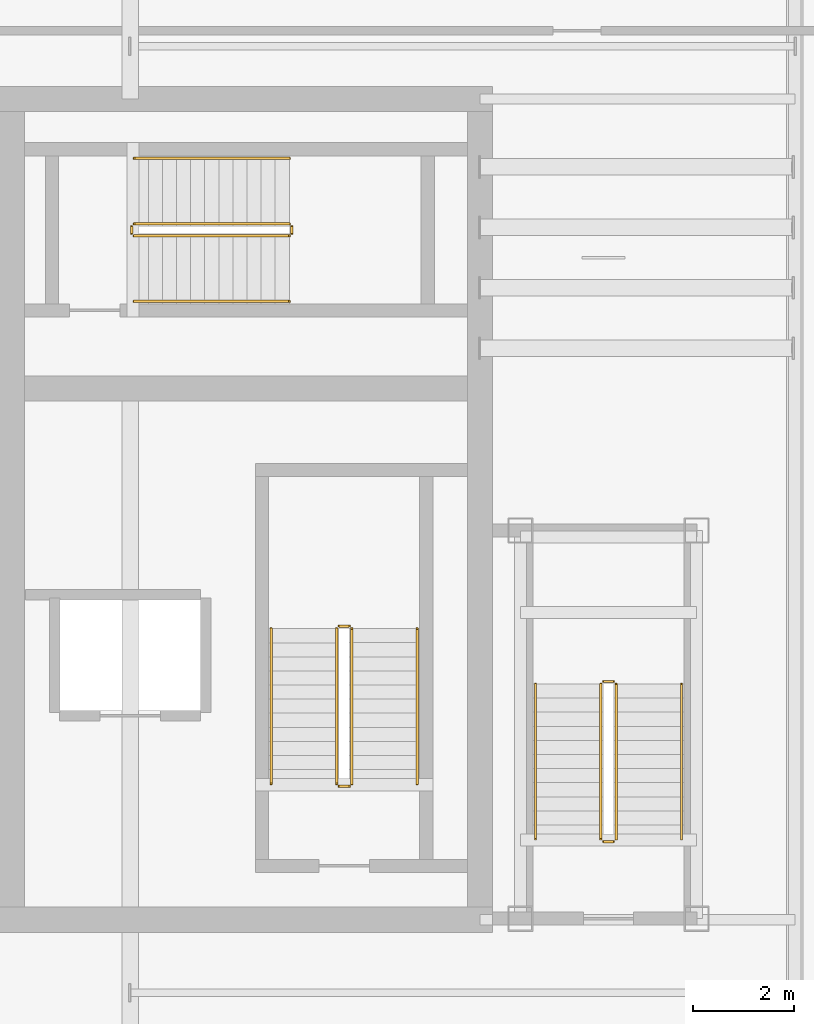
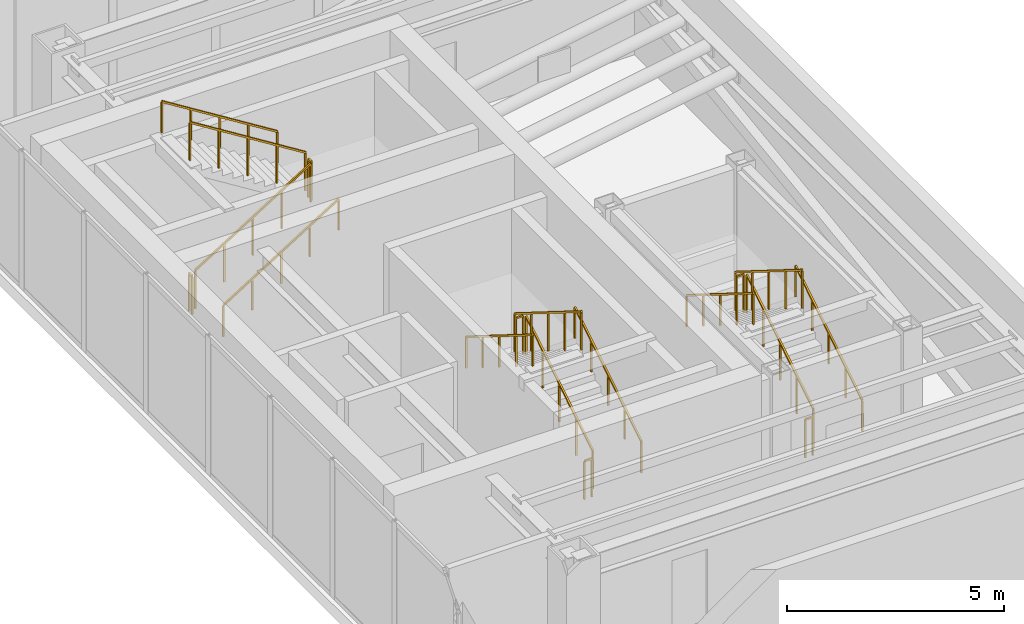
# One storey, part 9 of 9: 18 railings.
"""IFC4 building model written with IfcOpenShell, lengths in metres."""

from ifc_helpers import new_model, si_unit, direction, frame, origin, origin_2d, place, context, subcontext, project, spatial, rectangle, extrude, material, type_object, element, save


model = new_model("IFC4")

# Units and contexts
model_context = context("Model", 3, precision=1e-05, world=origin(), true_north=direction((0.0, 1.0)))
body_context = subcontext(model_context, "Body", "Model", "MODEL_VIEW")
ifc_project = project(units=[si_unit("LENGTHUNIT", "METRE"), si_unit("AREAUNIT", "SQUARE_METRE"), si_unit("VOLUMEUNIT", "CUBIC_METRE"), si_unit("PLANEANGLEUNIT", "RADIAN"), si_unit("MASSUNIT", "GRAM", prefix="KILO")], contexts=[model_context])

# Site, building, storey
site_placement = place(None, origin())
site = spatial("IfcSite", under=ifc_project, at=site_placement, CompositionType="ELEMENT")
building_placement = place(site_placement, origin())
building = spatial("IfcBuilding", under=site, at=building_placement, Name="Kiyonajd Concourse Tower", CompositionType="ELEMENT")
storey_placement = place(building_placement, frame((0.0, 0.0, 372.89990234375)))
storey = spatial("IfcBuildingStorey", under=building, at=storey_placement, Name="L93", CompositionType="ELEMENT", Elevation=372.89990234375)

# Railings
ifc_material_1 = material(Name="Steel ASTM A500 Grade C", Category="steel")
railing_type_1 = type_object("IfcRailingType", Name="RL-GRD-STR", PredefinedType="GUARDRAIL", material=ifc_material_1)
railing_1_placement = place(storey_placement, frame((60.800048828125, 30.550048828125, 0.175048828125)))
element("IfcRailing", 1, at=railing_1_placement, inside=storey, type_object=railing_type_1, Name="L93 ST2 stair guard 1", PredefinedType="GUARDRAIL", context=body_context, shape_type="SweptSolid", body=[
    extrude(rectangle(XDim=0.048095703125, YDim=0.048095703125, at=origin_2d()), frame((0.0, 0.0, 1.076171875), z_axis=(0.0, 0.847979421464, 0.530029150871), x_axis=(-1.0, 0.0, 0.0)), (0.0, 0.0, 1.0), 3.632080078125),
    extrude(rectangle(XDim=0.0419921875, YDim=0.0419921875, at=origin_2d()), origin(), (0.0, 0.0, 1.0), 1.052001953125),
    extrude(rectangle(XDim=0.0419921875, YDim=0.0419921875, at=origin_2d()), frame((0.0, 0.77001953125, 0.481201171875)), (0.0, 0.0, 1.0), 1.052001953125),
    extrude(rectangle(XDim=0.0419921875, YDim=0.0419921875, at=origin_2d()), frame((0.0, 1.5400390625, 0.96240234375)), (0.0, 0.0, 1.0), 1.052001953125),
    extrude(rectangle(XDim=0.0419921875, YDim=0.0419921875, at=origin_2d()), frame((0.0, 2.309814453125, 1.44384765625)), (0.0, 0.0, 1.0), 1.052001953125),
    extrude(rectangle(XDim=0.0419921875, YDim=0.0419921875, at=origin_2d()), frame((0.0, 3.079833984375, 1.925048828125)), (0.0, 0.0, 1.0), 1.052001953125),
])
railing_2_placement = place(storey_placement, frame((60.75, 33.679931640625, 2.10009765625)))
element("IfcRailing", 2, at=railing_2_placement, inside=storey, type_object=railing_type_1, Name="L93 ST2 stair guard 2", PredefinedType="GUARDRAIL", context=body_context, shape_type="SweptSolid", body=[
    extrude(rectangle(XDim=0.048095703125, YDim=0.048095703125, at=origin_2d()), frame((0.0, 0.0, 1.076171875), z_axis=(-1.0, 0.0, 0.0), x_axis=(0.0, -1.0, 0.0)), (0.0, 0.0, 1.0), 0.199951171875),
    extrude(rectangle(XDim=0.0419921875, YDim=0.0419921875, at=origin_2d()), origin(), (0.0, 0.0, 1.0), 1.052001953125),
    extrude(rectangle(XDim=0.0419921875, YDim=0.0419921875, at=origin_2d()), frame((-0.199951171875, 0.0, 0.0)), (0.0, 0.0, 1.0), 1.052001953125),
])
railing_3_placement = place(storey_placement, frame((60.5, 33.6298828125, 2.275146484375)))
element("IfcRailing", 3, at=railing_3_placement, inside=storey, type_object=railing_type_1, Name="L93 ST2 stair guard 3", PredefinedType="GUARDRAIL", context=body_context, shape_type="SweptSolid", body=[
    extrude(rectangle(XDim=0.048095703125, YDim=0.048095703125, at=origin_2d()), frame((0.0, 0.0, 1.076171875), z_axis=(0.0, -0.847979421464, 0.530029150871), x_axis=(1.0, 0.0, 0.0)), (0.0, 0.0, 1.0), 3.632080078125),
    extrude(rectangle(XDim=0.0419921875, YDim=0.0419921875, at=origin_2d()), origin(), (0.0, 0.0, 1.0), 1.052001953125),
    extrude(rectangle(XDim=0.0419921875, YDim=0.0419921875, at=origin_2d()), frame((0.0, -0.77001953125, 0.481201171875)), (0.0, 0.0, 1.0), 1.052001953125),
    extrude(rectangle(XDim=0.0419921875, YDim=0.0419921875, at=origin_2d()), frame((0.0, -1.5400390625, 0.96240234375)), (0.0, 0.0, 1.0), 1.052001953125),
    extrude(rectangle(XDim=0.0419921875, YDim=0.0419921875, at=origin_2d()), frame((0.0, -2.309814453125, 1.44384765625)), (0.0, 0.0, 1.0), 1.052001953125),
    extrude(rectangle(XDim=0.0419921875, YDim=0.0419921875, at=origin_2d()), frame((0.0, -3.079833984375, 1.925048828125)), (0.0, 0.0, 1.0), 1.052001953125),
])
railing_4_placement = place(storey_placement, frame((60.75, 30.5, 0.0)))
element("IfcRailing", 4, at=railing_4_placement, inside=storey, type_object=railing_type_1, Name="L93 ST2 stair guard 4", PredefinedType="GUARDRAIL", context=body_context, shape_type="SweptSolid", body=[
    extrude(rectangle(XDim=0.048095703125, YDim=0.048095703125, at=origin_2d()), frame((0.0, 0.0, 1.076171875), z_axis=(-1.0, 0.0, 0.0), x_axis=(0.0, -1.0, 0.0)), (0.0, 0.0, 1.0), 0.199951171875),
    extrude(rectangle(XDim=0.0419921875, YDim=0.0419921875, at=origin_2d()), origin(), (0.0, 0.0, 1.0), 1.052001953125),
    extrude(rectangle(XDim=0.0419921875, YDim=0.0419921875, at=origin_2d()), frame((-0.199951171875, 0.0, 0.0)), (0.0, 0.0, 1.0), 1.052001953125),
])
railing_5_placement = place(storey_placement, frame((56.47998046875, 41.429931640625, 0.175048828125)))
element("IfcRailing", 5, at=railing_5_placement, inside=storey, type_object=railing_type_1, Name="L93 ST3 stair guard 1", PredefinedType="GUARDRAIL", context=body_context, shape_type="SweptSolid", body=[
    extrude(rectangle(XDim=0.048095703125, YDim=0.048095703125, at=origin_2d()), frame((0.0, 0.0, 1.076171875), z_axis=(0.847998304005, 0.0, 0.529998940003), x_axis=(0.0, 1.0, 0.0)), (0.0, 0.0, 1.0), 3.632080078125),
    extrude(rectangle(XDim=0.0419921875, YDim=0.0419921875, at=origin_2d()), origin(), (0.0, 0.0, 1.0), 1.052001953125),
    extrude(rectangle(XDim=0.0419921875, YDim=0.0419921875, at=origin_2d()), frame((0.77001953125, 0.0, 0.481201171875)), (0.0, 0.0, 1.0), 1.052001953125),
    extrude(rectangle(XDim=0.0419921875, YDim=0.0419921875, at=origin_2d()), frame((1.5400390625, 0.0, 0.96240234375)), (0.0, 0.0, 1.0), 1.052001953125),
    extrude(rectangle(XDim=0.0419921875, YDim=0.0419921875, at=origin_2d()), frame((2.31005859375, 0.0, 1.44384765625)), (0.0, 0.0, 1.0), 1.052001953125),
    extrude(rectangle(XDim=0.0419921875, YDim=0.0419921875, at=origin_2d()), frame((3.080078125, 0.0, 1.925048828125)), (0.0, 0.0, 1.0), 1.052001953125),
])
railing_6_placement = place(storey_placement, frame((59.610107421875, 41.47998046875, 2.10009765625)))
element("IfcRailing", 6, at=railing_6_placement, inside=storey, type_object=railing_type_1, Name="L93 ST3 stair guard 2", PredefinedType="GUARDRAIL", context=body_context, shape_type="SweptSolid", body=[
    extrude(rectangle(XDim=0.048095703125, YDim=0.048095703125, at=origin_2d()), frame((0.0, 0.0, 1.076171875), z_axis=(0.0, 1.0, 0.0), x_axis=(-1.0, 0.0, 0.0)), (0.0, 0.0, 1.0), 0.14013671875),
    extrude(rectangle(XDim=0.0419921875, YDim=0.0419921875, at=origin_2d()), origin(), (0.0, 0.0, 1.0), 1.052001953125),
    extrude(rectangle(XDim=0.0419921875, YDim=0.0419921875, at=origin_2d()), frame((0.0, 0.14013671875, 0.0)), (0.0, 0.0, 1.0), 1.052001953125),
])
railing_7_placement = place(storey_placement, frame((59.56005859375, 41.669921875, 2.275146484375)))
element("IfcRailing", 7, at=railing_7_placement, inside=storey, type_object=railing_type_1, Name="L93 ST3 stair guard 3", PredefinedType="GUARDRAIL", context=body_context, shape_type="SweptSolid", body=[
    extrude(rectangle(XDim=0.048095703125, YDim=0.048095703125, at=origin_2d()), frame((0.0, 0.0, 1.076171875), z_axis=(-0.847998304005, 0.0, 0.529998940003), x_axis=(0.0, -1.0, 0.0)), (0.0, 0.0, 1.0), 3.632080078125),
    extrude(rectangle(XDim=0.0419921875, YDim=0.0419921875, at=origin_2d()), origin(), (0.0, 0.0, 1.0), 1.052001953125),
    extrude(rectangle(XDim=0.0419921875, YDim=0.0419921875, at=origin_2d()), frame((-0.77001953125, 0.0, 0.481201171875)), (0.0, 0.0, 1.0), 1.052001953125),
    extrude(rectangle(XDim=0.0419921875, YDim=0.0419921875, at=origin_2d()), frame((-1.5400390625, 0.0, 0.96240234375)), (0.0, 0.0, 1.0), 1.052001953125),
    extrude(rectangle(XDim=0.0419921875, YDim=0.0419921875, at=origin_2d()), frame((-2.31005859375, 0.0, 1.44384765625)), (0.0, 0.0, 1.0), 1.052001953125),
    extrude(rectangle(XDim=0.0419921875, YDim=0.0419921875, at=origin_2d()), frame((-3.080078125, 0.0, 1.925048828125)), (0.0, 0.0, 1.0), 1.052001953125),
])
railing_8_placement = place(storey_placement, frame((56.429931640625, 41.47998046875, 0.0)))
element("IfcRailing", 8, at=railing_8_placement, inside=storey, type_object=railing_type_1, Name="L93 ST3 stair guard 4", PredefinedType="GUARDRAIL", context=body_context, shape_type="SweptSolid", body=[
    extrude(rectangle(XDim=0.048095703125, YDim=0.048095703125, at=origin_2d()), frame((0.0, 0.0, 1.076171875), z_axis=(0.0, 1.0, 0.0), x_axis=(-1.0, 0.0, 0.0)), (0.0, 0.0, 1.0), 0.14013671875),
    extrude(rectangle(XDim=0.0419921875, YDim=0.0419921875, at=origin_2d()), origin(), (0.0, 0.0, 1.0), 1.052001953125),
    extrude(rectangle(XDim=0.0419921875, YDim=0.0419921875, at=origin_2d()), frame((0.0, 0.14013671875, 0.0)), (0.0, 0.0, 1.0), 1.052001953125),
])
railing_9_placement = place(storey_placement, frame((66.050048828125, 29.449951171875, 0.175048828125)))
element("IfcRailing", 9, at=railing_9_placement, inside=storey, type_object=railing_type_1, Name="L93 ST6 stair guard 1", PredefinedType="GUARDRAIL", context=body_context, shape_type="SweptSolid", body=[
    extrude(rectangle(XDim=0.048095703125, YDim=0.048095703125, at=origin_2d()), frame((0.0, 0.0, 1.076171875), z_axis=(0.0, 0.847998304005, 0.529998940003), x_axis=(-1.0, 0.0, 0.0)), (0.0, 0.0, 1.0), 3.632080078125),
    extrude(rectangle(XDim=0.0419921875, YDim=0.0419921875, at=origin_2d()), origin(), (0.0, 0.0, 1.0), 1.052001953125),
    extrude(rectangle(XDim=0.0419921875, YDim=0.0419921875, at=origin_2d()), frame((0.0, 0.77001953125, 0.481201171875)), (0.0, 0.0, 1.0), 1.052001953125),
    extrude(rectangle(XDim=0.0419921875, YDim=0.0419921875, at=origin_2d()), frame((0.0, 1.5400390625, 0.96240234375)), (0.0, 0.0, 1.0), 1.052001953125),
    extrude(rectangle(XDim=0.0419921875, YDim=0.0419921875, at=origin_2d()), frame((0.0, 2.31005859375, 1.44384765625)), (0.0, 0.0, 1.0), 1.052001953125),
    extrude(rectangle(XDim=0.0419921875, YDim=0.0419921875, at=origin_2d()), frame((0.0, 3.080078125, 1.925048828125)), (0.0, 0.0, 1.0), 1.052001953125),
])
railing_10_placement = place(storey_placement, frame((66.0, 32.580078125, 2.10009765625)))
element("IfcRailing", 10, at=railing_10_placement, inside=storey, type_object=railing_type_1, Name="L93 ST6 stair guard 2", PredefinedType="GUARDRAIL", context=body_context, shape_type="SweptSolid", body=[
    extrude(rectangle(XDim=0.048095703125, YDim=0.048095703125, at=origin_2d()), frame((0.0, 0.0, 1.076171875), z_axis=(-1.0, 0.0, 0.0), x_axis=(0.0, -1.0, 0.0)), (0.0, 0.0, 1.0), 0.199951171875),
    extrude(rectangle(XDim=0.0419921875, YDim=0.0419921875, at=origin_2d()), origin(), (0.0, 0.0, 1.0), 1.052001953125),
    extrude(rectangle(XDim=0.0419921875, YDim=0.0419921875, at=origin_2d()), frame((-0.199951171875, 0.0, 0.0)), (0.0, 0.0, 1.0), 1.052001953125),
])
railing_11_placement = place(storey_placement, frame((65.75, 32.530029296875, 2.275146484375)))
element("IfcRailing", 11, at=railing_11_placement, inside=storey, type_object=railing_type_1, Name="L93 ST6 stair guard 3", PredefinedType="GUARDRAIL", context=body_context, shape_type="SweptSolid", body=[
    extrude(rectangle(XDim=0.048095703125, YDim=0.048095703125, at=origin_2d()), frame((0.0, 0.0, 1.076171875), z_axis=(0.0, -0.847998304005, 0.529998940003), x_axis=(1.0, 0.0, 0.0)), (0.0, 0.0, 1.0), 3.632080078125),
    extrude(rectangle(XDim=0.0419921875, YDim=0.0419921875, at=origin_2d()), origin(), (0.0, 0.0, 1.0), 1.052001953125),
    extrude(rectangle(XDim=0.0419921875, YDim=0.0419921875, at=origin_2d()), frame((0.0, -0.77001953125, 0.481201171875)), (0.0, 0.0, 1.0), 1.052001953125),
    extrude(rectangle(XDim=0.0419921875, YDim=0.0419921875, at=origin_2d()), frame((0.0, -1.5400390625, 0.96240234375)), (0.0, 0.0, 1.0), 1.052001953125),
    extrude(rectangle(XDim=0.0419921875, YDim=0.0419921875, at=origin_2d()), frame((0.0, -2.31005859375, 1.44384765625)), (0.0, 0.0, 1.0), 1.052001953125),
    extrude(rectangle(XDim=0.0419921875, YDim=0.0419921875, at=origin_2d()), frame((0.0, -3.080078125, 1.925048828125)), (0.0, 0.0, 1.0), 1.052001953125),
])
railing_12_placement = place(storey_placement, frame((66.0, 29.39990234375, 0.0)))
element("IfcRailing", 12, at=railing_12_placement, inside=storey, type_object=railing_type_1, Name="L93 ST6 stair guard 4", PredefinedType="GUARDRAIL", context=body_context, shape_type="SweptSolid", body=[
    extrude(rectangle(XDim=0.048095703125, YDim=0.048095703125, at=origin_2d()), frame((0.0, 0.0, 1.076171875), z_axis=(-1.0, 0.0, 0.0), x_axis=(0.0, -1.0, 0.0)), (0.0, 0.0, 1.0), 0.199951171875),
    extrude(rectangle(XDim=0.0419921875, YDim=0.0419921875, at=origin_2d()), origin(), (0.0, 0.0, 1.0), 1.052001953125),
    extrude(rectangle(XDim=0.0419921875, YDim=0.0419921875, at=origin_2d()), frame((-0.199951171875, 0.0, 0.0)), (0.0, 0.0, 1.0), 1.052001953125),
])
ifc_material_2 = material(Name="Brushed Stainless Steel Cab Assembly", Category="steel")
railing_type_2 = type_object("IfcRailingType", Name="RL-HND-900", PredefinedType="HANDRAIL", material=ifc_material_2)
railing_13_placement = place(storey_placement, frame((62.10009765625, 30.550048828125, 0.175048828125)))
element("IfcRailing", 13, at=railing_13_placement, inside=storey, type_object=railing_type_2, Name="L93 ST2 stair handrail 1", PredefinedType="HANDRAIL", context=body_context, shape_type="SweptSolid", body=[
    extrude(rectangle(XDim=0.048095703125, YDim=0.048095703125, at=origin_2d()), frame((0.0, 0.0, 0.8759765625), z_axis=(0.0, 0.847979421464, 0.530029150871), x_axis=(-1.0, 0.0, 0.0)), (0.0, 0.0, 1.0), 3.632080078125),
    extrude(rectangle(XDim=0.0419921875, YDim=0.0419921875, at=origin_2d()), origin(), (0.0, 0.0, 1.0), 0.851806640625),
    extrude(rectangle(XDim=0.0419921875, YDim=0.0419921875, at=origin_2d()), frame((0.0, 0.77001953125, 0.481201171875)), (0.0, 0.0, 1.0), 0.851806640625),
    extrude(rectangle(XDim=0.0419921875, YDim=0.0419921875, at=origin_2d()), frame((0.0, 1.5400390625, 0.96240234375)), (0.0, 0.0, 1.0), 0.851806640625),
    extrude(rectangle(XDim=0.0419921875, YDim=0.0419921875, at=origin_2d()), frame((0.0, 2.309814453125, 1.44384765625)), (0.0, 0.0, 1.0), 0.851806640625),
    extrude(rectangle(XDim=0.0419921875, YDim=0.0419921875, at=origin_2d()), frame((0.0, 3.079833984375, 1.925048828125)), (0.0, 0.0, 1.0), 0.851806640625),
])
railing_14_placement = place(storey_placement, frame((59.199951171875, 33.6298828125, 2.275146484375)))
element("IfcRailing", 14, at=railing_14_placement, inside=storey, type_object=railing_type_2, Name="L93 ST2 stair handrail 2", PredefinedType="HANDRAIL", context=body_context, shape_type="SweptSolid", body=[
    extrude(rectangle(XDim=0.048095703125, YDim=0.048095703125, at=origin_2d()), frame((0.0, 0.0, 0.8759765625), z_axis=(0.0, -0.847979421464, 0.530029150871), x_axis=(1.0, 0.0, 0.0)), (0.0, 0.0, 1.0), 3.632080078125),
    extrude(rectangle(XDim=0.0419921875, YDim=0.0419921875, at=origin_2d()), origin(), (0.0, 0.0, 1.0), 0.851806640625),
    extrude(rectangle(XDim=0.0419921875, YDim=0.0419921875, at=origin_2d()), frame((0.0, -0.77001953125, 0.481201171875)), (0.0, 0.0, 1.0), 0.851806640625),
    extrude(rectangle(XDim=0.0419921875, YDim=0.0419921875, at=origin_2d()), frame((0.0, -1.5400390625, 0.96240234375)), (0.0, 0.0, 1.0), 0.851806640625),
    extrude(rectangle(XDim=0.0419921875, YDim=0.0419921875, at=origin_2d()), frame((0.0, -2.309814453125, 1.44384765625)), (0.0, 0.0, 1.0), 0.851806640625),
    extrude(rectangle(XDim=0.0419921875, YDim=0.0419921875, at=origin_2d()), frame((0.0, -3.079833984375, 1.925048828125)), (0.0, 0.0, 1.0), 0.851806640625),
])
railing_15_placement = place(storey_placement, frame((56.47998046875, 40.1298828125, 0.175048828125)))
element("IfcRailing", 15, at=railing_15_placement, inside=storey, type_object=railing_type_2, Name="L93 ST3 stair handrail 1", PredefinedType="HANDRAIL", context=body_context, shape_type="SweptSolid", body=[
    extrude(rectangle(XDim=0.048095703125, YDim=0.048095703125, at=origin_2d()), frame((0.0, 0.0, 0.8759765625), z_axis=(0.847998304005, 0.0, 0.529998940003), x_axis=(0.0, 1.0, 0.0)), (0.0, 0.0, 1.0), 3.632080078125),
    extrude(rectangle(XDim=0.0419921875, YDim=0.0419921875, at=origin_2d()), origin(), (0.0, 0.0, 1.0), 0.851806640625),
    extrude(rectangle(XDim=0.0419921875, YDim=0.0419921875, at=origin_2d()), frame((0.77001953125, 0.0, 0.481201171875)), (0.0, 0.0, 1.0), 0.851806640625),
    extrude(rectangle(XDim=0.0419921875, YDim=0.0419921875, at=origin_2d()), frame((1.5400390625, 0.0, 0.96240234375)), (0.0, 0.0, 1.0), 0.851806640625),
    extrude(rectangle(XDim=0.0419921875, YDim=0.0419921875, at=origin_2d()), frame((2.31005859375, 0.0, 1.44384765625)), (0.0, 0.0, 1.0), 0.851806640625),
    extrude(rectangle(XDim=0.0419921875, YDim=0.0419921875, at=origin_2d()), frame((3.080078125, 0.0, 1.925048828125)), (0.0, 0.0, 1.0), 0.851806640625),
])
railing_16_placement = place(storey_placement, frame((59.56005859375, 42.969970703125, 2.275146484375)))
element("IfcRailing", 16, at=railing_16_placement, inside=storey, type_object=railing_type_2, Name="L93 ST3 stair handrail 2", PredefinedType="HANDRAIL", context=body_context, shape_type="SweptSolid", body=[
    extrude(rectangle(XDim=0.048095703125, YDim=0.048095703125, at=origin_2d()), frame((0.0, 0.0, 0.8759765625), z_axis=(-0.847998304005, 0.0, 0.529998940003), x_axis=(0.0, -1.0, 0.0)), (0.0, 0.0, 1.0), 3.632080078125),
    extrude(rectangle(XDim=0.0419921875, YDim=0.0419921875, at=origin_2d()), origin(), (0.0, 0.0, 1.0), 0.851806640625),
    extrude(rectangle(XDim=0.0419921875, YDim=0.0419921875, at=origin_2d()), frame((-0.77001953125, 0.0, 0.481201171875)), (0.0, 0.0, 1.0), 0.851806640625),
    extrude(rectangle(XDim=0.0419921875, YDim=0.0419921875, at=origin_2d()), frame((-1.5400390625, 0.0, 0.96240234375)), (0.0, 0.0, 1.0), 0.851806640625),
    extrude(rectangle(XDim=0.0419921875, YDim=0.0419921875, at=origin_2d()), frame((-2.31005859375, 0.0, 1.44384765625)), (0.0, 0.0, 1.0), 0.851806640625),
    extrude(rectangle(XDim=0.0419921875, YDim=0.0419921875, at=origin_2d()), frame((-3.080078125, 0.0, 1.925048828125)), (0.0, 0.0, 1.0), 0.851806640625),
])
railing_17_placement = place(storey_placement, frame((67.35009765625, 29.449951171875, 0.175048828125)))
element("IfcRailing", 17, at=railing_17_placement, inside=storey, type_object=railing_type_2, Name="L93 ST6 stair handrail 1", PredefinedType="HANDRAIL", context=body_context, shape_type="SweptSolid", body=[
    extrude(rectangle(XDim=0.048095703125, YDim=0.048095703125, at=origin_2d()), frame((0.0, 0.0, 0.8759765625), z_axis=(0.0, 0.847998304005, 0.529998940003), x_axis=(-1.0, 0.0, 0.0)), (0.0, 0.0, 1.0), 3.632080078125),
    extrude(rectangle(XDim=0.0419921875, YDim=0.0419921875, at=origin_2d()), origin(), (0.0, 0.0, 1.0), 0.851806640625),
    extrude(rectangle(XDim=0.0419921875, YDim=0.0419921875, at=origin_2d()), frame((0.0, 0.77001953125, 0.481201171875)), (0.0, 0.0, 1.0), 0.851806640625),
    extrude(rectangle(XDim=0.0419921875, YDim=0.0419921875, at=origin_2d()), frame((0.0, 1.5400390625, 0.96240234375)), (0.0, 0.0, 1.0), 0.851806640625),
    extrude(rectangle(XDim=0.0419921875, YDim=0.0419921875, at=origin_2d()), frame((0.0, 2.31005859375, 1.44384765625)), (0.0, 0.0, 1.0), 0.851806640625),
    extrude(rectangle(XDim=0.0419921875, YDim=0.0419921875, at=origin_2d()), frame((0.0, 3.080078125, 1.925048828125)), (0.0, 0.0, 1.0), 0.851806640625),
])
railing_18_placement = place(storey_placement, frame((64.449951171875, 32.530029296875, 2.275146484375)))
element("IfcRailing", 18, at=railing_18_placement, inside=storey, type_object=railing_type_2, Name="L93 ST6 stair handrail 2", PredefinedType="HANDRAIL", context=body_context, shape_type="SweptSolid", body=[
    extrude(rectangle(XDim=0.048095703125, YDim=0.048095703125, at=origin_2d()), frame((0.0, 0.0, 0.8759765625), z_axis=(0.0, -0.847998304005, 0.529998940003), x_axis=(1.0, 0.0, 0.0)), (0.0, 0.0, 1.0), 3.632080078125),
    extrude(rectangle(XDim=0.0419921875, YDim=0.0419921875, at=origin_2d()), origin(), (0.0, 0.0, 1.0), 0.851806640625),
    extrude(rectangle(XDim=0.0419921875, YDim=0.0419921875, at=origin_2d()), frame((0.0, -0.77001953125, 0.481201171875)), (0.0, 0.0, 1.0), 0.851806640625),
    extrude(rectangle(XDim=0.0419921875, YDim=0.0419921875, at=origin_2d()), frame((0.0, -1.5400390625, 0.96240234375)), (0.0, 0.0, 1.0), 0.851806640625),
    extrude(rectangle(XDim=0.0419921875, YDim=0.0419921875, at=origin_2d()), frame((0.0, -2.31005859375, 1.44384765625)), (0.0, 0.0, 1.0), 0.851806640625),
    extrude(rectangle(XDim=0.0419921875, YDim=0.0419921875, at=origin_2d()), frame((0.0, -3.080078125, 1.925048828125)), (0.0, 0.0, 1.0), 0.851806640625),
])

save(model, "model.ifc")
